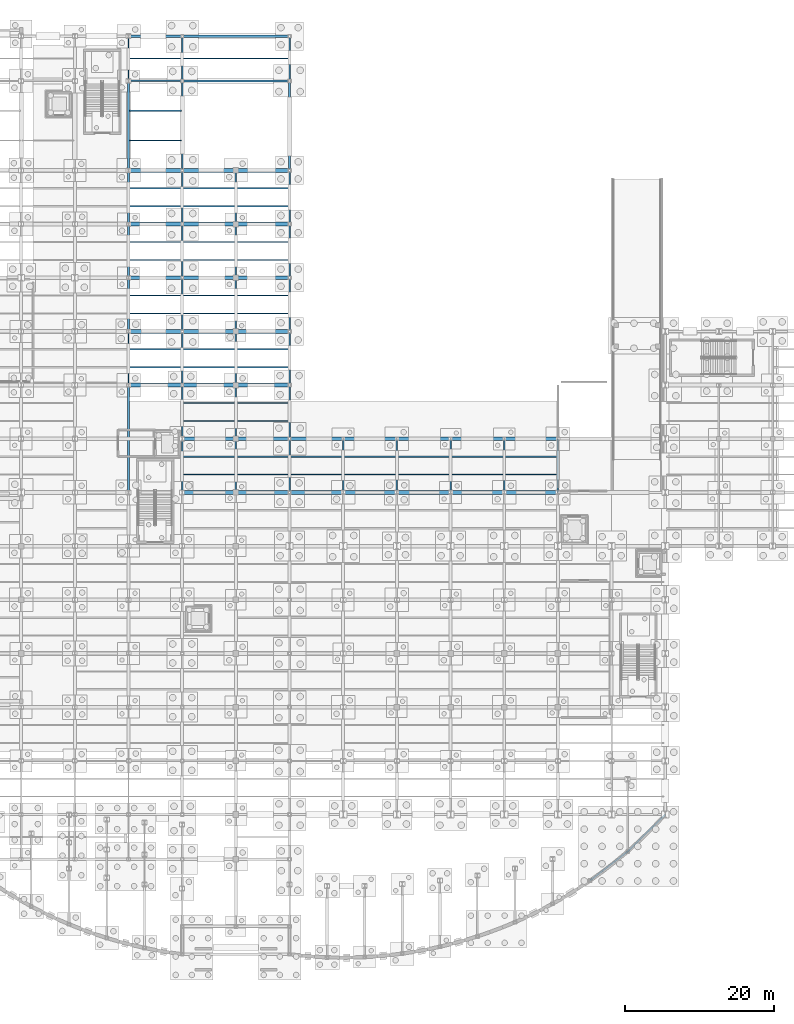
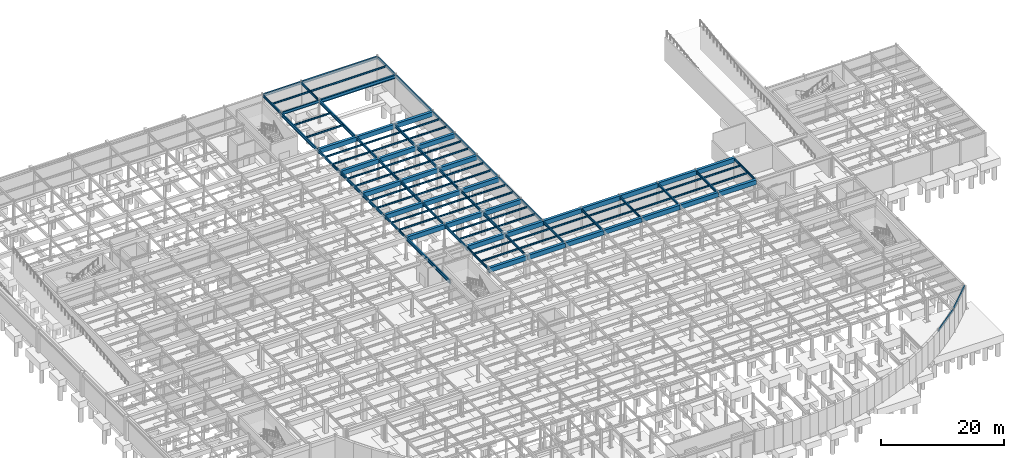
# One storey, part 39 of 64: 115 beams.
"""IFC4 building model written with IfcOpenShell, lengths in metres."""

from ifc_helpers import new_model, si_unit, direction, frame, origin, origin_2d, place, context, subcontext, project, spatial, rectangle, hollow_rectangle, i_section, extrude, material, material_profile, profile_set, type_object, element, save


model = new_model("IFC4")

# Units and contexts
model_context = context("Model", 3, precision=1e-05, world=origin(), true_north=direction((0.0, 1.0)))
body_context = subcontext(model_context, "Body", "Model", "MODEL_VIEW")
ifc_project = project(units=[si_unit("LENGTHUNIT", "METRE"), si_unit("AREAUNIT", "SQUARE_METRE"), si_unit("VOLUMEUNIT", "CUBIC_METRE"), si_unit("PLANEANGLEUNIT", "RADIAN"), si_unit("MASSUNIT", "GRAM", prefix="KILO")], contexts=[model_context])

# Site, building, storey
site_placement = place(None, origin())
site = spatial("IfcSite", under=ifc_project, at=site_placement, CompositionType="ELEMENT")
building_placement = place(site_placement, origin())
building = spatial("IfcBuilding", under=site, at=building_placement, Name="Solvadek Multi-Sports Hall", CompositionType="ELEMENT")
storey_placement = place(building_placement, frame((0.0, 0.0, -4.800048828125)))
storey = spatial("IfcBuildingStorey", under=building, at=storey_placement, Name="B1", CompositionType="ELEMENT", Elevation=-4.800048828125)

# Beams
ifc_material_1 = material(Name="Steel E350 (350 MPa)", Category="steel")
ifc_material_profile_1 = material_profile(ifc_material_1, i_section(OverallWidth=0.18994140625, OverallDepth=0.550048828125, WebThickness=0.01123046875, FlangeThickness=0.019287109375, at=origin_2d()), Name="ISMB 550")
ifc_profile_set_1 = profile_set([ifc_material_profile_1], Name="Steel E350 (350 MPa)")
beam_type_1 = type_object("IfcBeamType", Name="STR-BM-ISMB550", PredefinedType="BEAM", material=ifc_profile_set_1)
beam_1_placement = place(storey_placement, frame((64.800048828125, 104.39990234375, 4.275146484375), z_axis=(1.0, 0.0, 0.0), x_axis=(0.0, 1.0, 0.0)))
element("IfcBeam", 1, at=beam_1_placement, inside=storey, type_object=beam_type_1, Name="B1 Girder B-06 #235", PredefinedType="BEAM", context=body_context, shape_type="SweptSolid", body=[
    extrude(i_section(OverallWidth=0.18994140625, OverallDepth=0.550048828125, WebThickness=0.01123046875, FlangeThickness=0.019287109375, at=origin_2d()), origin(), (0.0, 0.0, 1.0), 7.199951171875),
])
ifc_material_profile_2 = material_profile(ifc_material_1, i_section(OverallWidth=0.18994140625, OverallDepth=0.449951171875, WebThickness=0.009521484375, FlangeThickness=0.0146484375, at=origin_2d()), Name="NPB 450")
ifc_profile_set_2 = profile_set([ifc_material_profile_2], Name="Steel E350 (350 MPa)")
beam_type_2 = type_object("IfcBeamType", Name="STR-BM-NPB450", PredefinedType="BEAM", material=ifc_profile_set_2)
beam_2_placement = place(storey_placement, frame((64.800048828125, 63.60009765625, 4.324951171875), z_axis=(0.0, 1.0, 0.0), x_axis=(-1.0, 0.0, 0.0)))
element("IfcBeam", 2, at=beam_2_placement, inside=storey, type_object=beam_type_2, Name="B1 Girder B-08 #392", PredefinedType="BEAM", context=body_context, shape_type="SweptSolid", body=[
    extrude(i_section(OverallWidth=0.18994140625, OverallDepth=0.449951171875, WebThickness=0.009521484375, FlangeThickness=0.0146484375, at=origin_2d()), origin(), (0.0, 0.0, 1.0), 7.199951171875),
])
beam_3_placement = place(storey_placement, frame((64.800048828125, 104.39990234375, 4.324951171875), z_axis=(0.0, 1.0, 0.0), x_axis=(-1.0, 0.0, 0.0)))
element("IfcBeam", 3, at=beam_3_placement, inside=storey, type_object=beam_type_2, Name="B1 Girder B-08 #397", PredefinedType="BEAM", context=body_context, shape_type="SweptSolid", body=[
    extrude(i_section(OverallWidth=0.18994140625, OverallDepth=0.449951171875, WebThickness=0.009521484375, FlangeThickness=0.0146484375, at=origin_2d()), origin(), (0.0, 0.0, 1.0), 6.0),
])
for number, where, z_axis, x_axis, name in (
    (4, (72.0, 49.199951171875, 4.324951171875), (0.0, 1.0, 0.0), (-1.0, 0.0, 0.0), "B1 Girder B-08 #411"),
    (5, (72.0, 63.60009765625, 4.324951171875), (0.0, 1.0, 0.0), (-1.0, 0.0, 0.0), "B1 Girder B-08 #413"),
):
    element("IfcBeam", number, at=place(storey_placement, frame(where, z_axis=z_axis, x_axis=x_axis)), inside=storey, type_object=beam_type_2, Name=name, PredefinedType="BEAM", context=body_context, shape_type="SweptSolid", body=[
        extrude(i_section(OverallWidth=0.18994140625, OverallDepth=0.449951171875, WebThickness=0.009521484375, FlangeThickness=0.0146484375, at=origin_2d()), origin(), (0.0, 0.0, 1.0), 7.199951171875),
    ])
beam_4_placement = place(storey_placement, frame((72.0, 104.39990234375, 4.324951171875), z_axis=(0.0, 1.0, 0.0), x_axis=(-1.0, 0.0, 0.0)))
element("IfcBeam", 6, at=beam_4_placement, inside=storey, type_object=beam_type_2, Name="B1 Girder B-08 #418", PredefinedType="BEAM", context=body_context, shape_type="SweptSolid", body=[
    extrude(i_section(OverallWidth=0.18994140625, OverallDepth=0.449951171875, WebThickness=0.009521484375, FlangeThickness=0.0146484375, at=origin_2d()), origin(), (0.0, 0.0, 1.0), 6.0),
])
for number, where, z_axis, x_axis, name in (
    (7, (79.199951171875, 49.199951171875, 4.324951171875), (0.0, 1.0, 0.0), (-1.0, 0.0, 0.0), "B1 Girder B-08 #427"),
    (8, (79.199951171875, 63.60009765625, 4.324951171875), (0.0, 1.0, 0.0), (-1.0, 0.0, 0.0), "B1 Girder B-08 #429"),
    (9, (86.39990234375, 49.199951171875, 4.324951171875), (0.0, 1.0, 0.0), (-1.0, 0.0, 0.0), "B1 Girder B-08 #443"),
    (10, (86.39990234375, 63.60009765625, 4.324951171875), (0.0, 1.0, 0.0), (-1.0, 0.0, 0.0), "B1 Girder B-08 #445"),
):
    element("IfcBeam", number, at=place(storey_placement, frame(where, z_axis=z_axis, x_axis=x_axis)), inside=storey, type_object=beam_type_2, Name=name, PredefinedType="BEAM", context=body_context, shape_type="SweptSolid", body=[
        extrude(i_section(OverallWidth=0.18994140625, OverallDepth=0.449951171875, WebThickness=0.009521484375, FlangeThickness=0.0146484375, at=origin_2d()), origin(), (0.0, 0.0, 1.0), 7.199951171875),
    ])
beam_5_placement = place(storey_placement, frame((86.39990234375, 104.39990234375, 4.324951171875), z_axis=(0.0, 1.0, 0.0), x_axis=(-1.0, 0.0, 0.0)))
element("IfcBeam", 11, at=beam_5_placement, inside=storey, type_object=beam_type_2, Name="B1 Girder B-08 #450", PredefinedType="BEAM", context=body_context, shape_type="SweptSolid", body=[
    extrude(i_section(OverallWidth=0.18994140625, OverallDepth=0.449951171875, WebThickness=0.009521484375, FlangeThickness=0.0146484375, at=origin_2d()), origin(), (0.0, 0.0, 1.0), 6.0),
])
for number, where, z_axis, x_axis, name in (
    (12, (93.60009765625, 49.199951171875, 4.324951171875), (0.0, 1.0, 0.0), (-1.0, 0.0, 0.0), "B1 Girder B-08 #458"),
    (13, (100.800048828125, 49.199951171875, 4.324951171875), (0.0, 1.0, 0.0), (-1.0, 0.0, 0.0), "B1 Girder B-08 #466"),
    (14, (108.0, 49.199951171875, 4.324951171875), (0.0, 1.0, 0.0), (-1.0, 0.0, 0.0), "B1 Girder B-08 #475"),
    (15, (115.199951171875, 49.199951171875, 4.324951171875), (0.0, 1.0, 0.0), (-1.0, 0.0, 0.0), "B1 Girder B-08 #483"),
    (16, (122.39990234375, 49.199951171875, 4.324951171875), (0.0, 1.0, 0.0), (-1.0, 0.0, 0.0), "B1 Girder B-08 #492"),
):
    element("IfcBeam", number, at=place(storey_placement, frame(where, z_axis=z_axis, x_axis=x_axis)), inside=storey, type_object=beam_type_2, Name=name, PredefinedType="BEAM", context=body_context, shape_type="SweptSolid", body=[
        extrude(i_section(OverallWidth=0.18994140625, OverallDepth=0.449951171875, WebThickness=0.009521484375, FlangeThickness=0.0146484375, at=origin_2d()), origin(), (0.0, 0.0, 1.0), 7.199951171875),
    ])
ifc_material_profile_3 = material_profile(ifc_material_1, i_section(OverallWidth=0.2099609375, OverallDepth=0.550048828125, WebThickness=0.010986328125, FlangeThickness=0.01708984375, at=origin_2d()), Name="NPB 550")
ifc_profile_set_3 = profile_set([ifc_material_profile_3], Name="Steel E350 (350 MPa)")
beam_type_3 = type_object("IfcBeamType", Name="STR-BM-NPB550", PredefinedType="BEAM", material=ifc_profile_set_3)
for number, where, z_axis, x_axis, name in (
    (17, (64.800048828125, 70.800048828125, 4.275146484375), (0.0, 1.0, 0.0), (-1.0, 0.0, 0.0), "B1 Girder B-05 #393"),
    (18, (64.800048828125, 78.0, 4.275146484375), (0.0, 1.0, 0.0), (-1.0, 0.0, 0.0), "B1 Girder B-05 #394"),
    (19, (64.800048828125, 85.199951171875, 4.275146484375), (0.0, 1.0, 0.0), (-1.0, 0.0, 0.0), "B1 Girder B-05 #395"),
):
    element("IfcBeam", number, at=place(storey_placement, frame(where, z_axis=z_axis, x_axis=x_axis)), inside=storey, type_object=beam_type_3, Name=name, PredefinedType="BEAM", context=body_context, shape_type="SweptSolid", body=[
        extrude(i_section(OverallWidth=0.2099609375, OverallDepth=0.550048828125, WebThickness=0.010986328125, FlangeThickness=0.01708984375, at=origin_2d()), origin(), (0.0, 0.0, 1.0), 7.199951171875),
    ])
beam_6_placement = place(storey_placement, frame((72.0, 56.39990234375, 4.275146484375), z_axis=(0.0, 1.0, 0.0), x_axis=(-1.0, 0.0, 0.0)))
element("IfcBeam", 20, at=beam_6_placement, inside=storey, type_object=beam_type_3, Name="B1 Girder B-05 #412", PredefinedType="BEAM", context=body_context, shape_type="SweptSolid", body=[
    extrude(i_section(OverallWidth=0.2099609375, OverallDepth=0.550048828125, WebThickness=0.010986328125, FlangeThickness=0.01708984375, at=origin_2d()), origin(), (0.0, 0.0, 1.0), 7.2001953125),
])
for number, where, z_axis, x_axis, name in (
    (21, (72.0, 70.800048828125, 4.275146484375), (0.0, 1.0, 0.0), (-1.0, 0.0, 0.0), "B1 Girder B-05 #414"),
    (22, (72.0, 78.0, 4.275146484375), (0.0, 1.0, 0.0), (-1.0, 0.0, 0.0), "B1 Girder B-05 #415"),
    (23, (72.0, 85.199951171875, 4.275146484375), (0.0, 1.0, 0.0), (-1.0, 0.0, 0.0), "B1 Girder B-05 #416"),
):
    element("IfcBeam", number, at=place(storey_placement, frame(where, z_axis=z_axis, x_axis=x_axis)), inside=storey, type_object=beam_type_3, Name=name, PredefinedType="BEAM", context=body_context, shape_type="SweptSolid", body=[
        extrude(i_section(OverallWidth=0.2099609375, OverallDepth=0.550048828125, WebThickness=0.010986328125, FlangeThickness=0.01708984375, at=origin_2d()), origin(), (0.0, 0.0, 1.0), 7.199951171875),
    ])
beam_7_placement = place(storey_placement, frame((79.199951171875, 56.39990234375, 4.275146484375), z_axis=(0.0, 1.0, 0.0), x_axis=(-1.0, 0.0, 0.0)))
element("IfcBeam", 24, at=beam_7_placement, inside=storey, type_object=beam_type_3, Name="B1 Girder B-05 #428", PredefinedType="BEAM", context=body_context, shape_type="SweptSolid", body=[
    extrude(i_section(OverallWidth=0.2099609375, OverallDepth=0.550048828125, WebThickness=0.010986328125, FlangeThickness=0.01708984375, at=origin_2d()), origin(), (0.0, 0.0, 1.0), 7.2001953125),
])
for number, where, z_axis, x_axis, name in (
    (25, (79.199951171875, 70.800048828125, 4.275146484375), (0.0, 1.0, 0.0), (-1.0, 0.0, 0.0), "B1 Girder B-05 #430"),
    (26, (79.199951171875, 78.0, 4.275146484375), (0.0, 1.0, 0.0), (-1.0, 0.0, 0.0), "B1 Girder B-05 #431"),
    (27, (79.199951171875, 85.199951171875, 4.275146484375), (0.0, 1.0, 0.0), (-1.0, 0.0, 0.0), "B1 Girder B-05 #432"),
):
    element("IfcBeam", number, at=place(storey_placement, frame(where, z_axis=z_axis, x_axis=x_axis)), inside=storey, type_object=beam_type_3, Name=name, PredefinedType="BEAM", context=body_context, shape_type="SweptSolid", body=[
        extrude(i_section(OverallWidth=0.2099609375, OverallDepth=0.550048828125, WebThickness=0.010986328125, FlangeThickness=0.01708984375, at=origin_2d()), origin(), (0.0, 0.0, 1.0), 7.199951171875),
    ])
beam_8_placement = place(storey_placement, frame((86.39990234375, 56.39990234375, 4.275146484375), z_axis=(0.0, 1.0, 0.0), x_axis=(-1.0, 0.0, 0.0)))
element("IfcBeam", 28, at=beam_8_placement, inside=storey, type_object=beam_type_3, Name="B1 Girder B-05 #444", PredefinedType="BEAM", context=body_context, shape_type="SweptSolid", body=[
    extrude(i_section(OverallWidth=0.2099609375, OverallDepth=0.550048828125, WebThickness=0.010986328125, FlangeThickness=0.01708984375, at=origin_2d()), origin(), (0.0, 0.0, 1.0), 7.2001953125),
])
for number, where, z_axis, x_axis, name in (
    (29, (86.39990234375, 70.800048828125, 4.275146484375), (0.0, 1.0, 0.0), (-1.0, 0.0, 0.0), "B1 Girder B-05 #446"),
    (30, (86.39990234375, 78.0, 4.275146484375), (0.0, 1.0, 0.0), (-1.0, 0.0, 0.0), "B1 Girder B-05 #447"),
    (31, (86.39990234375, 85.199951171875, 4.275146484375), (0.0, 1.0, 0.0), (-1.0, 0.0, 0.0), "B1 Girder B-05 #448"),
):
    element("IfcBeam", number, at=place(storey_placement, frame(where, z_axis=z_axis, x_axis=x_axis)), inside=storey, type_object=beam_type_3, Name=name, PredefinedType="BEAM", context=body_context, shape_type="SweptSolid", body=[
        extrude(i_section(OverallWidth=0.2099609375, OverallDepth=0.550048828125, WebThickness=0.010986328125, FlangeThickness=0.01708984375, at=origin_2d()), origin(), (0.0, 0.0, 1.0), 7.199951171875),
    ])
ifc_material_profile_4 = material_profile(ifc_material_1, i_section(OverallWidth=0.239990234375, OverallDepth=0.64990234375, WebThickness=0.0126953125, FlangeThickness=0.0205078125, at=origin_2d()), Name="NPB 650")
ifc_profile_set_4 = profile_set([ifc_material_profile_4], Name="Steel E350 (350 MPa)")
beam_type_4 = type_object("IfcBeamType", Name="STR-BM-NPB650", PredefinedType="BEAM", material=ifc_profile_set_4)
beam_9_placement = place(storey_placement, frame((64.800048828125, 49.199951171875, 4.22509765625), z_axis=(0.0, 1.0, 0.0), x_axis=(-1.0, 0.0, 0.0)))
element("IfcBeam", 32, at=beam_9_placement, inside=storey, type_object=beam_type_4, Name="B1 Girder B-03 #391", PredefinedType="BEAM", context=body_context, shape_type="SweptSolid", body=[
    extrude(i_section(OverallWidth=0.239990234375, OverallDepth=0.64990234375, WebThickness=0.0126953125, FlangeThickness=0.0205078125, at=origin_2d()), origin(), (0.0, 0.0, 1.0), 14.400146484375),
])
for number, where, z_axis, x_axis, name in (
    (33, (64.800048828125, 92.39990234375, 4.22509765625), (0.0, 1.0, 0.0), (-1.0, 0.0, 0.0), "B1 Girder B-03 #396"),
    (34, (72.0, 92.39990234375, 4.22509765625), (0.0, 1.0, 0.0), (-1.0, 0.0, 0.0), "B1 Girder B-03 #417"),
    (35, (86.39990234375, 92.39990234375, 4.22509765625), (0.0, 1.0, 0.0), (-1.0, 0.0, 0.0), "B1 Girder B-03 #449"),
):
    element("IfcBeam", number, at=place(storey_placement, frame(where, z_axis=z_axis, x_axis=x_axis)), inside=storey, type_object=beam_type_4, Name=name, PredefinedType="BEAM", context=body_context, shape_type="SweptSolid", body=[
        extrude(i_section(OverallWidth=0.239990234375, OverallDepth=0.64990234375, WebThickness=0.0126953125, FlangeThickness=0.0205078125, at=origin_2d()), origin(), (0.0, 0.0, 1.0), 12.0),
    ])
ifc_material_profile_5 = material_profile(ifc_material_1, i_section(OverallWidth=0.300048828125, OverallDepth=0.699951171875, WebThickness=0.01708984375, FlangeThickness=0.031982421875, at=origin_2d()), Name="WPB 700")
ifc_profile_set_5 = profile_set([ifc_material_profile_5], Name="Steel E350 (350 MPa)")
beam_type_5 = type_object("IfcBeamType", Name="STR-BM-WPB700", PredefinedType="BEAM", material=ifc_profile_set_5)
beam_10_placement = place(storey_placement, frame((72.0, 104.39990234375, 4.199951171875), z_axis=(1.0, 0.0, 0.0), x_axis=(0.0, 1.0, 0.0)))
element("IfcBeam", 36, at=beam_10_placement, inside=storey, type_object=beam_type_5, Name="B1 Girder B-01 #236", PredefinedType="BEAM", context=body_context, shape_type="SweptSolid", body=[
    extrude(i_section(OverallWidth=0.300048828125, OverallDepth=0.699951171875, WebThickness=0.01708984375, FlangeThickness=0.031982421875, at=origin_2d()), origin(), (0.0, 0.0, 1.0), 14.39990234375),
])
ifc_material_profile_6 = material_profile(ifc_material_1, i_section(OverallWidth=0.139892578125, OverallDepth=0.35009765625, WebThickness=0.008056640625, FlangeThickness=0.01416015625, at=origin_2d()), Name="ISMB 350")
ifc_profile_set_6 = profile_set([ifc_material_profile_6], Name="Steel E350 (350 MPa)")
beam_type_6 = type_object("IfcBeamType", Name="STR-JST-ISMB350", PredefinedType="JOIST", material=ifc_profile_set_6)
beam_11_placement = place(storey_placement, frame((72.094970703125, 107.39990234375, 4.375), z_axis=(1.0, 0.0, 0.0), x_axis=(0.0, 1.0, 0.0)))
element("IfcBeam", 37, at=beam_11_placement, inside=storey, type_object=beam_type_6, Name="B1 Composite Joist J-01 #366", PredefinedType="JOIST", context=body_context, shape_type="SweptSolid", body=[
    extrude(i_section(OverallWidth=0.139892578125, OverallDepth=0.35009765625, WebThickness=0.008056640625, FlangeThickness=0.01416015625, at=origin_2d()), origin(), (0.0, 0.0, 1.0), 14.2099609375),
])
ifc_material_profile_7 = material_profile(ifc_material_1, i_section(OverallWidth=0.159912109375, OverallDepth=0.330078125, WebThickness=0.007568359375, FlangeThickness=0.011474609375, at=origin_2d()), Name="NPB 330")
ifc_profile_set_7 = profile_set([ifc_material_profile_7], Name="Steel E350 (350 MPa)")
beam_type_7 = type_object("IfcBeamType", Name="STR-JST-NPB330", PredefinedType="JOIST", material=ifc_profile_set_7)
for number, where, z_axis, x_axis, name in (
    (38, (72.094970703125, 51.60009765625, 4.385009765625), (1.0, 0.0, 0.0), (0.0, 1.0, 0.0), "B1 Composite Joist J-02 #205"),
    (39, (72.094970703125, 54.0, 4.385009765625), (1.0, 0.0, 0.0), (0.0, 1.0, 0.0), "B1 Composite Joist J-02 #206"),
    (40, (79.294921875, 51.60009765625, 4.385009765625), (1.0, 0.0, 0.0), (0.0, 1.0, 0.0), "B1 Composite Joist J-02 #207"),
    (41, (79.294921875, 54.0, 4.385009765625), (1.0, 0.0, 0.0), (0.0, 1.0, 0.0), "B1 Composite Joist J-02 #208"),
):
    element("IfcBeam", number, at=place(storey_placement, frame(where, z_axis=z_axis, x_axis=x_axis)), inside=storey, type_object=beam_type_7, Name=name, PredefinedType="JOIST", context=body_context, shape_type="SweptSolid", body=[
        extrude(i_section(OverallWidth=0.159912109375, OverallDepth=0.330078125, WebThickness=0.007568359375, FlangeThickness=0.011474609375, at=origin_2d()), origin(), (0.0, 0.0, 1.0), 7.010009765625),
    ])
for number, where, z_axis, x_axis, name in (
    (42, (86.4951171875, 51.60009765625, 4.385009765625), (1.0, 0.0, 0.0), (0.0, 1.0, 0.0), "B1 Composite Joist J-02 #209"),
    (43, (86.4951171875, 54.0, 4.385009765625), (1.0, 0.0, 0.0), (0.0, 1.0, 0.0), "B1 Composite Joist J-02 #210"),
):
    element("IfcBeam", number, at=place(storey_placement, frame(where, z_axis=z_axis, x_axis=x_axis)), inside=storey, type_object=beam_type_7, Name=name, PredefinedType="JOIST", context=body_context, shape_type="SweptSolid", body=[
        extrude(i_section(OverallWidth=0.159912109375, OverallDepth=0.330078125, WebThickness=0.007568359375, FlangeThickness=0.011474609375, at=origin_2d()), origin(), (0.0, 0.0, 1.0), 7.009765625),
    ])
for number, where, z_axis, x_axis, name in (
    (44, (93.695068359375, 51.60009765625, 4.385009765625), (1.0, 0.0, 0.0), (0.0, 1.0, 0.0), "B1 Composite Joist J-02 #211"),
    (45, (93.695068359375, 54.0, 4.385009765625), (1.0, 0.0, 0.0), (0.0, 1.0, 0.0), "B1 Composite Joist J-02 #212"),
    (46, (100.89501953125, 51.60009765625, 4.385009765625), (1.0, 0.0, 0.0), (0.0, 1.0, 0.0), "B1 Composite Joist J-02 #213"),
    (47, (100.89501953125, 54.0, 4.385009765625), (1.0, 0.0, 0.0), (0.0, 1.0, 0.0), "B1 Composite Joist J-02 #214"),
    (48, (108.094970703125, 51.60009765625, 4.385009765625), (1.0, 0.0, 0.0), (0.0, 1.0, 0.0), "B1 Composite Joist J-02 #215"),
    (49, (108.094970703125, 54.0, 4.385009765625), (1.0, 0.0, 0.0), (0.0, 1.0, 0.0), "B1 Composite Joist J-02 #216"),
    (50, (115.294921875, 51.60009765625, 4.385009765625), (1.0, 0.0, 0.0), (0.0, 1.0, 0.0), "B1 Composite Joist J-02 #217"),
    (51, (115.294921875, 54.0, 4.385009765625), (1.0, 0.0, 0.0), (0.0, 1.0, 0.0), "B1 Composite Joist J-02 #218"),
):
    element("IfcBeam", number, at=place(storey_placement, frame(where, z_axis=z_axis, x_axis=x_axis)), inside=storey, type_object=beam_type_7, Name=name, PredefinedType="JOIST", context=body_context, shape_type="SweptSolid", body=[
        extrude(i_section(OverallWidth=0.159912109375, OverallDepth=0.330078125, WebThickness=0.007568359375, FlangeThickness=0.011474609375, at=origin_2d()), origin(), (0.0, 0.0, 1.0), 7.010009765625),
    ])
for number, where, z_axis, x_axis, name in (
    (52, (72.10498046875, 58.800048828125, 4.385009765625), (1.0, 0.0, 0.0), (0.0, 1.0, 0.0), "B1 Composite Joist J-02 #241"),
    (53, (72.10498046875, 61.199951171875, 4.385009765625), (1.0, 0.0, 0.0), (0.0, 1.0, 0.0), "B1 Composite Joist J-02 #242"),
    (54, (79.304931640625, 58.800048828125, 4.385009765625), (1.0, 0.0, 0.0), (0.0, 1.0, 0.0), "B1 Composite Joist J-02 #243"),
    (55, (79.304931640625, 61.199951171875, 4.385009765625), (1.0, 0.0, 0.0), (0.0, 1.0, 0.0), "B1 Composite Joist J-02 #244"),
):
    element("IfcBeam", number, at=place(storey_placement, frame(where, z_axis=z_axis, x_axis=x_axis)), inside=storey, type_object=beam_type_7, Name=name, PredefinedType="JOIST", context=body_context, shape_type="SweptSolid", body=[
        extrude(i_section(OverallWidth=0.159912109375, OverallDepth=0.330078125, WebThickness=0.007568359375, FlangeThickness=0.011474609375, at=origin_2d()), origin(), (0.0, 0.0, 1.0), 6.989990234375),
    ])
for number, where, z_axis, x_axis, name in (
    (56, (64.89501953125, 66.0, 4.385009765625), (1.0, 0.0, 0.0), (0.0, 1.0, 0.0), "B1 Composite Joist J-02 #269"),
    (57, (64.89501953125, 68.39990234375, 4.385009765625), (1.0, 0.0, 0.0), (0.0, 1.0, 0.0), "B1 Composite Joist J-02 #270"),
    (58, (72.094970703125, 66.0, 4.385009765625), (1.0, 0.0, 0.0), (0.0, 1.0, 0.0), "B1 Composite Joist J-02 #271"),
    (59, (72.094970703125, 68.39990234375, 4.385009765625), (1.0, 0.0, 0.0), (0.0, 1.0, 0.0), "B1 Composite Joist J-02 #272"),
    (60, (79.294921875, 66.0, 4.385009765625), (1.0, 0.0, 0.0), (0.0, 1.0, 0.0), "B1 Composite Joist J-02 #273"),
    (61, (79.294921875, 68.39990234375, 4.385009765625), (1.0, 0.0, 0.0), (0.0, 1.0, 0.0), "B1 Composite Joist J-02 #274"),
):
    element("IfcBeam", number, at=place(storey_placement, frame(where, z_axis=z_axis, x_axis=x_axis)), inside=storey, type_object=beam_type_7, Name=name, PredefinedType="JOIST", context=body_context, shape_type="SweptSolid", body=[
        extrude(i_section(OverallWidth=0.159912109375, OverallDepth=0.330078125, WebThickness=0.007568359375, FlangeThickness=0.011474609375, at=origin_2d()), origin(), (0.0, 0.0, 1.0), 7.010009765625),
    ])
for number, where, z_axis, x_axis, name in (
    (62, (64.905029296875, 73.199951171875, 4.385009765625), (1.0, 0.0, 0.0), (0.0, 1.0, 0.0), "B1 Composite Joist J-02 #295"),
    (63, (64.905029296875, 75.60009765625, 4.385009765625), (1.0, 0.0, 0.0), (0.0, 1.0, 0.0), "B1 Composite Joist J-02 #296"),
    (64, (72.10498046875, 73.199951171875, 4.385009765625), (1.0, 0.0, 0.0), (0.0, 1.0, 0.0), "B1 Composite Joist J-02 #297"),
    (65, (72.10498046875, 75.60009765625, 4.385009765625), (1.0, 0.0, 0.0), (0.0, 1.0, 0.0), "B1 Composite Joist J-02 #298"),
    (66, (79.304931640625, 73.199951171875, 4.385009765625), (1.0, 0.0, 0.0), (0.0, 1.0, 0.0), "B1 Composite Joist J-02 #299"),
    (67, (79.304931640625, 75.60009765625, 4.385009765625), (1.0, 0.0, 0.0), (0.0, 1.0, 0.0), "B1 Composite Joist J-02 #300"),
    (68, (64.905029296875, 80.39990234375, 4.385009765625), (1.0, 0.0, 0.0), (0.0, 1.0, 0.0), "B1 Composite Joist J-02 #312"),
    (69, (64.905029296875, 82.800048828125, 4.385009765625), (1.0, 0.0, 0.0), (0.0, 1.0, 0.0), "B1 Composite Joist J-02 #313"),
    (70, (72.10498046875, 80.39990234375, 4.385009765625), (1.0, 0.0, 0.0), (0.0, 1.0, 0.0), "B1 Composite Joist J-02 #314"),
    (71, (72.10498046875, 82.800048828125, 4.385009765625), (1.0, 0.0, 0.0), (0.0, 1.0, 0.0), "B1 Composite Joist J-02 #315"),
    (72, (79.304931640625, 80.39990234375, 4.385009765625), (1.0, 0.0, 0.0), (0.0, 1.0, 0.0), "B1 Composite Joist J-02 #316"),
    (73, (79.304931640625, 82.800048828125, 4.385009765625), (1.0, 0.0, 0.0), (0.0, 1.0, 0.0), "B1 Composite Joist J-02 #317"),
    (74, (64.905029296875, 87.60009765625, 4.385009765625), (1.0, 0.0, 0.0), (0.0, 1.0, 0.0), "B1 Composite Joist J-02 #334"),
    (75, (64.905029296875, 90.0, 4.385009765625), (1.0, 0.0, 0.0), (0.0, 1.0, 0.0), "B1 Composite Joist J-02 #335"),
    (76, (72.10498046875, 87.60009765625, 4.385009765625), (1.0, 0.0, 0.0), (0.0, 1.0, 0.0), "B1 Composite Joist J-02 #336"),
    (77, (72.10498046875, 90.0, 4.385009765625), (1.0, 0.0, 0.0), (0.0, 1.0, 0.0), "B1 Composite Joist J-02 #337"),
    (78, (79.304931640625, 87.60009765625, 4.385009765625), (1.0, 0.0, 0.0), (0.0, 1.0, 0.0), "B1 Composite Joist J-02 #338"),
    (79, (79.304931640625, 90.0, 4.385009765625), (1.0, 0.0, 0.0), (0.0, 1.0, 0.0), "B1 Composite Joist J-02 #339"),
):
    element("IfcBeam", number, at=place(storey_placement, frame(where, z_axis=z_axis, x_axis=x_axis)), inside=storey, type_object=beam_type_7, Name=name, PredefinedType="JOIST", context=body_context, shape_type="SweptSolid", body=[
        extrude(i_section(OverallWidth=0.159912109375, OverallDepth=0.330078125, WebThickness=0.007568359375, FlangeThickness=0.011474609375, at=origin_2d()), origin(), (0.0, 0.0, 1.0), 6.989990234375),
    ])
for number, where, z_axis, x_axis, name in (
    (80, (64.919921875, 96.39990234375, 4.385009765625), (1.0, 0.0, 0.0), (0.0, 1.0, 0.0), "B1 Composite Joist J-02 #355"),
    (81, (64.919921875, 100.39990234375, 4.385009765625), (1.0, 0.0, 0.0), (0.0, 1.0, 0.0), "B1 Composite Joist J-02 #356"),
):
    element("IfcBeam", number, at=place(storey_placement, frame(where, z_axis=z_axis, x_axis=x_axis)), inside=storey, type_object=beam_type_7, Name=name, PredefinedType="JOIST", context=body_context, shape_type="SweptSolid", body=[
        extrude(i_section(OverallWidth=0.159912109375, OverallDepth=0.330078125, WebThickness=0.007568359375, FlangeThickness=0.011474609375, at=origin_2d()), origin(), (0.0, 0.0, 1.0), 6.9599609375),
    ])
beam_12_placement = place(storey_placement, frame((64.89501953125, 107.39990234375, 4.385009765625), z_axis=(1.0, 0.0, 0.0), x_axis=(0.0, 1.0, 0.0)))
element("IfcBeam", 82, at=beam_12_placement, inside=storey, type_object=beam_type_7, Name="B1 Composite Joist J-02 #365", PredefinedType="JOIST", context=body_context, shape_type="SweptSolid", body=[
    extrude(i_section(OverallWidth=0.159912109375, OverallDepth=0.330078125, WebThickness=0.007568359375, FlangeThickness=0.011474609375, at=origin_2d()), origin(), (0.0, 0.0, 1.0), 7.010009765625),
])
ifc_material_profile_8 = material_profile(ifc_material_1, hollow_rectangle(XDim=0.199951171875, YDim=0.35009765625, WallThickness=0.011962890625, at=origin_2d()), Name="RHS 350x200x12")
ifc_profile_set_8 = profile_set([ifc_material_profile_8], Name="Steel E350 (350 MPa)")
beam_type_8 = type_object("IfcBeamType", Name="STR-SPN-RHS350", PredefinedType="SPANDREL", material=ifc_profile_set_8)
beam_13_placement = place(storey_placement, frame((126.719970703125, -2.857177734375, 4.375), z_axis=(0.789860818002, 0.613286138915, 0.0), x_axis=(-0.613286138915, 0.789860818002, 0.0)))
element("IfcBeam", 83, at=beam_13_placement, inside=storey, type_object=beam_type_8, Name="B1 Curved Crescent Spandrel #18", PredefinedType="SPANDREL", context=body_context, shape_type="SweptSolid", body=[
    extrude(hollow_rectangle(XDim=0.199951171875, YDim=0.35009765625, WallThickness=0.011962890625, at=origin_2d()), origin(), (0.0, 0.0, 1.0), 6.380859375),
])
beam_14_placement = place(storey_placement, frame((131.760009765625, 1.05615234375, 4.375), z_axis=(0.71388638519, 0.700261543311, 0.0), x_axis=(-0.700261543311, 0.71388638519, 0.0)))
element("IfcBeam", 84, at=beam_14_placement, inside=storey, type_object=beam_type_8, Name="B1 Curved Crescent Spandrel #19", PredefinedType="SPANDREL", context=body_context, shape_type="SweptSolid", body=[
    extrude(hollow_rectangle(XDim=0.199951171875, YDim=0.35009765625, WallThickness=0.011962890625, at=origin_2d()), origin(), (0.0, 0.0, 1.0), 7.06005859375),
])
ifc_material_profile_9 = material_profile(ifc_material_1, i_section(OverallWidth=0.300048828125, OverallDepth=0.5, WebThickness=0.014404296875, FlangeThickness=0.028076171875, at=origin_2d()), Name="WPB 500")
ifc_profile_set_9 = profile_set([ifc_material_profile_9], Name="Steel E350 (350 MPa)")
beam_type_9 = type_object("IfcBeamType", Name="STR-SPN-WPB500", PredefinedType="SPANDREL", material=ifc_profile_set_9)
beam_15_placement = place(storey_placement, frame((64.800048828125, 110.39990234375, 4.300048828125), z_axis=(1.0, 0.0, 0.0), x_axis=(0.0, 1.0, 0.0)))
element("IfcBeam", 85, at=beam_15_placement, inside=storey, type_object=beam_type_9, Name="B1 Girder SP-01 #246", PredefinedType="SPANDREL", context=body_context, shape_type="SweptSolid", body=[
    extrude(i_section(OverallWidth=0.300048828125, OverallDepth=0.5, WebThickness=0.014404296875, FlangeThickness=0.028076171875, at=origin_2d()), origin(), (0.0, 0.0, 1.0), 7.199951171875),
])
beam_16_placement = place(storey_placement, frame((72.0, 110.39990234375, 4.300048828125), z_axis=(1.0, 0.0, 0.0), x_axis=(0.0, 1.0, 0.0)))
element("IfcBeam", 86, at=beam_16_placement, inside=storey, type_object=beam_type_9, Name="B1 Girder SP-01 #247", PredefinedType="SPANDREL", context=body_context, shape_type="SweptSolid", body=[
    extrude(i_section(OverallWidth=0.300048828125, OverallDepth=0.5, WebThickness=0.014404296875, FlangeThickness=0.028076171875, at=origin_2d()), origin(), (0.0, 0.0, 1.0), 14.39990234375),
])
ifc_material_2 = material(Name="Concrete M35", Category="concrete")
ifc_material_profile_10 = material_profile(ifc_material_2, rectangle(XDim=0.5, YDim=0.89990234375, at=origin_2d()), Name="RC T-BEAM 500x900")
ifc_profile_set_10 = profile_set([ifc_material_profile_10], Name="Concrete M35")
beam_type_10 = type_object("IfcBeamType", Name="STR-TBM-500X900", PredefinedType="T_BEAM", material=ifc_profile_set_10)
for number, where, z_axis, x_axis, name in (
    (87, (72.0, 49.199951171875, 4.10009765625), (1.0, 0.0, 0.0), (0.0, 1.0, 0.0), "B1 Girder TB-02 #131"),
    (88, (79.199951171875, 49.199951171875, 4.10009765625), (1.0, 0.0, 0.0), (0.0, 1.0, 0.0), "B1 Girder TB-02 #132"),
):
    element("IfcBeam", number, at=place(storey_placement, frame(where, z_axis=z_axis, x_axis=x_axis)), inside=storey, type_object=beam_type_10, Name=name, PredefinedType="T_BEAM", context=body_context, shape_type="SweptSolid", body=[
        extrude(rectangle(XDim=0.5, YDim=0.89990234375, at=origin_2d()), origin(), (0.0, 0.0, 1.0), 7.199951171875),
    ])
beam_17_placement = place(storey_placement, frame((86.39990234375, 49.199951171875, 4.10009765625), z_axis=(1.0, 0.0, 0.0), x_axis=(0.0, 1.0, 0.0)))
element("IfcBeam", 89, at=beam_17_placement, inside=storey, type_object=beam_type_10, Name="B1 Girder TB-02 #133", PredefinedType="T_BEAM", context=body_context, shape_type="SweptSolid", body=[
    extrude(rectangle(XDim=0.5, YDim=0.89990234375, at=origin_2d()), origin(), (0.0, 0.0, 1.0), 7.2001953125),
])
for number, where, z_axis, x_axis, name in (
    (90, (93.60009765625, 49.199951171875, 4.10009765625), (1.0, 0.0, 0.0), (0.0, 1.0, 0.0), "B1 Girder TB-02 #134"),
    (91, (100.800048828125, 49.199951171875, 4.10009765625), (1.0, 0.0, 0.0), (0.0, 1.0, 0.0), "B1 Girder TB-02 #135"),
    (92, (108.0, 49.199951171875, 4.10009765625), (1.0, 0.0, 0.0), (0.0, 1.0, 0.0), "B1 Girder TB-02 #136"),
    (93, (115.199951171875, 49.199951171875, 4.10009765625), (1.0, 0.0, 0.0), (0.0, 1.0, 0.0), "B1 Girder TB-02 #137"),
    (94, (72.0, 56.39990234375, 4.10009765625), (1.0, 0.0, 0.0), (0.0, 1.0, 0.0), "B1 Girder TB-02 #151"),
    (95, (79.199951171875, 56.39990234375, 4.10009765625), (1.0, 0.0, 0.0), (0.0, 1.0, 0.0), "B1 Girder TB-02 #152"),
):
    element("IfcBeam", number, at=place(storey_placement, frame(where, z_axis=z_axis, x_axis=x_axis)), inside=storey, type_object=beam_type_10, Name=name, PredefinedType="T_BEAM", context=body_context, shape_type="SweptSolid", body=[
        extrude(rectangle(XDim=0.5, YDim=0.89990234375, at=origin_2d()), origin(), (0.0, 0.0, 1.0), 7.199951171875),
    ])
beam_18_placement = place(storey_placement, frame((86.39990234375, 56.39990234375, 4.10009765625), z_axis=(1.0, 0.0, 0.0), x_axis=(0.0, 1.0, 0.0)))
element("IfcBeam", 96, at=beam_18_placement, inside=storey, type_object=beam_type_10, Name="B1 Girder TB-02 #153", PredefinedType="T_BEAM", context=body_context, shape_type="SweptSolid", body=[
    extrude(rectangle(XDim=0.5, YDim=0.89990234375, at=origin_2d()), origin(), (0.0, 0.0, 1.0), 7.2001953125),
])
for number, where, z_axis, x_axis, name in (
    (97, (93.60009765625, 56.39990234375, 4.10009765625), (1.0, 0.0, 0.0), (0.0, 1.0, 0.0), "B1 Girder TB-02 #154"),
    (98, (100.800048828125, 56.39990234375, 4.10009765625), (1.0, 0.0, 0.0), (0.0, 1.0, 0.0), "B1 Girder TB-02 #155"),
    (99, (108.0, 56.39990234375, 4.10009765625), (1.0, 0.0, 0.0), (0.0, 1.0, 0.0), "B1 Girder TB-02 #156"),
    (100, (115.199951171875, 56.39990234375, 4.10009765625), (1.0, 0.0, 0.0), (0.0, 1.0, 0.0), "B1 Girder TB-02 #157"),
    (101, (64.800048828125, 63.60009765625, 4.10009765625), (1.0, 0.0, 0.0), (0.0, 1.0, 0.0), "B1 Girder TB-02 #171"),
    (102, (72.0, 63.60009765625, 4.10009765625), (1.0, 0.0, 0.0), (0.0, 1.0, 0.0), "B1 Girder TB-02 #172"),
    (103, (79.199951171875, 63.60009765625, 4.10009765625), (1.0, 0.0, 0.0), (0.0, 1.0, 0.0), "B1 Girder TB-02 #173"),
    (104, (64.800048828125, 70.800048828125, 4.10009765625), (1.0, 0.0, 0.0), (0.0, 1.0, 0.0), "B1 Girder TB-02 #186"),
    (105, (72.0, 70.800048828125, 4.10009765625), (1.0, 0.0, 0.0), (0.0, 1.0, 0.0), "B1 Girder TB-02 #187"),
    (106, (79.199951171875, 70.800048828125, 4.10009765625), (1.0, 0.0, 0.0), (0.0, 1.0, 0.0), "B1 Girder TB-02 #188"),
    (107, (64.800048828125, 78.0, 4.10009765625), (1.0, 0.0, 0.0), (0.0, 1.0, 0.0), "B1 Girder TB-02 #201"),
    (108, (72.0, 78.0, 4.10009765625), (1.0, 0.0, 0.0), (0.0, 1.0, 0.0), "B1 Girder TB-02 #202"),
    (109, (79.199951171875, 78.0, 4.10009765625), (1.0, 0.0, 0.0), (0.0, 1.0, 0.0), "B1 Girder TB-02 #203"),
    (110, (64.800048828125, 85.199951171875, 4.10009765625), (1.0, 0.0, 0.0), (0.0, 1.0, 0.0), "B1 Girder TB-02 #212"),
    (111, (72.0, 85.199951171875, 4.10009765625), (1.0, 0.0, 0.0), (0.0, 1.0, 0.0), "B1 Girder TB-02 #213"),
    (112, (79.199951171875, 85.199951171875, 4.10009765625), (1.0, 0.0, 0.0), (0.0, 1.0, 0.0), "B1 Girder TB-02 #214"),
    (113, (64.800048828125, 92.39990234375, 4.10009765625), (1.0, 0.0, 0.0), (0.0, 1.0, 0.0), "B1 Girder TB-02 #224"),
    (114, (72.0, 92.39990234375, 4.10009765625), (1.0, 0.0, 0.0), (0.0, 1.0, 0.0), "B1 Girder TB-02 #225"),
    (115, (79.199951171875, 92.39990234375, 4.10009765625), (1.0, 0.0, 0.0), (0.0, 1.0, 0.0), "B1 Girder TB-02 #226"),
):
    element("IfcBeam", number, at=place(storey_placement, frame(where, z_axis=z_axis, x_axis=x_axis)), inside=storey, type_object=beam_type_10, Name=name, PredefinedType="T_BEAM", context=body_context, shape_type="SweptSolid", body=[
        extrude(rectangle(XDim=0.5, YDim=0.89990234375, at=origin_2d()), origin(), (0.0, 0.0, 1.0), 7.199951171875),
    ])

save(model, "model.ifc")
